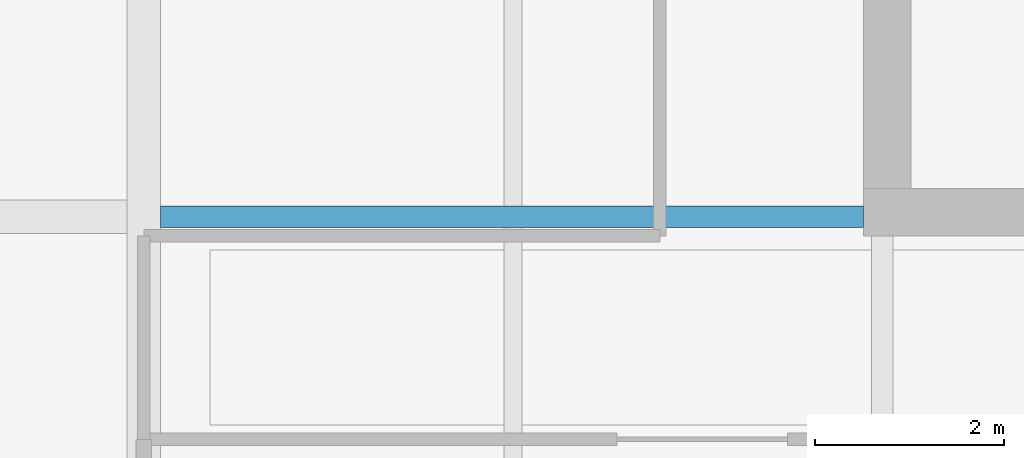
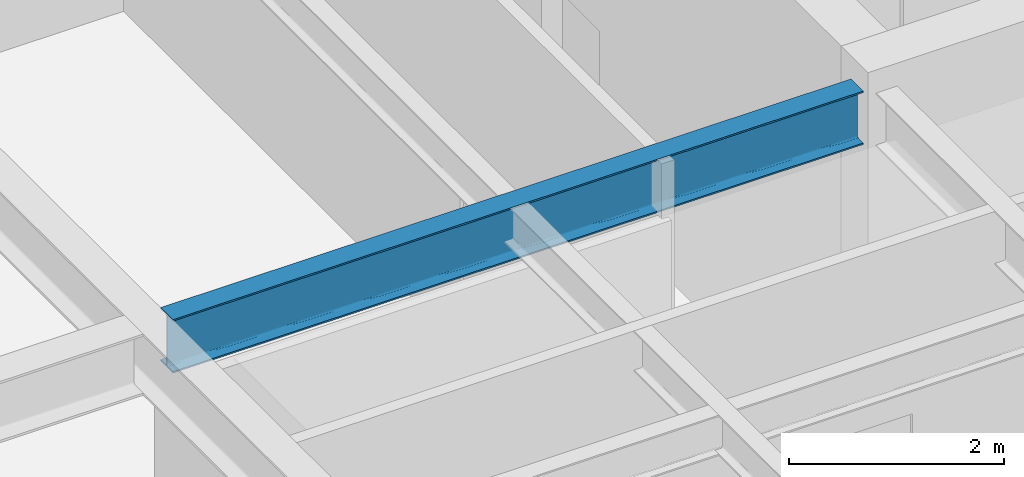
# One storey, part 8 of 32: 1 beam.
"""IFC4 building model written with IfcOpenShell, lengths in metres."""

from ifc_helpers import new_model, si_unit, direction, frame, origin, origin_2d, place, context, subcontext, project, spatial, i_section, extrude, material, material_profile, profile_set, type_object, element, save


model = new_model("IFC4")

# Units and contexts
model_context = context("Model", 3, precision=1e-05, world=origin(), true_north=direction((0.0, 1.0)))
body_context = subcontext(model_context, "Body", "Model", "MODEL_VIEW")
ifc_project = project(units=[si_unit("LENGTHUNIT", "METRE"), si_unit("AREAUNIT", "SQUARE_METRE"), si_unit("VOLUMEUNIT", "CUBIC_METRE"), si_unit("PLANEANGLEUNIT", "RADIAN"), si_unit("MASSUNIT", "GRAM", prefix="KILO")], contexts=[model_context])

# Site, building, storey
site_placement = place(None, origin())
site = spatial("IfcSite", under=ifc_project, at=site_placement, CompositionType="ELEMENT")
building_placement = place(site_placement, origin())
building = spatial("IfcBuilding", under=site, at=building_placement, Name="Drelvath Grand Hotel", CompositionType="ELEMENT")
storey_placement = place(building_placement, frame((0.0, 0.0, 145.800048828125)))
storey = spatial("IfcBuildingStorey", under=building, at=storey_placement, Name="L37", CompositionType="ELEMENT", Elevation=145.800048828125)

# Beam
ifc_material = material(Name="Steel ASTM A992 Gr 50", Category="steel")
ifc_material_profile = material_profile(ifc_material, i_section(OverallWidth=0.228271484375, OverallDepth=0.607666015625, WebThickness=0.01123046875, FlangeThickness=0.017333984375, FilletRadius=0.02001953125, at=origin_2d()), Name="W24X76")
ifc_profile_set = profile_set([ifc_material_profile], Name="Steel ASTM A992 Gr 50")
beam_type = type_object("IfcBeamType", Name="Primary Floor Girder W24X76", PredefinedType="BEAM", material=ifc_profile_set)
beam_placement = place(storey_placement, frame((-16.022705078125, 18.60009765625, 4.0361328125), z_axis=(1.0, 0.0, 0.0), x_axis=(0.0, 1.0, 0.0)))
element("IfcBeam", 1, at=beam_placement, inside=storey, type_object=beam_type, Name="L37 West Core Tie D", PredefinedType="BEAM", context=body_context, shape_type="SweptSolid", body=[
    extrude(i_section(OverallWidth=0.228271484375, OverallDepth=0.607666015625, WebThickness=0.01123046875, FlangeThickness=0.017333984375, FilletRadius=0.02001953125, at=origin_2d()), origin(), (0.0, 0.0, 1.0), 7.422607421875),
])

save(model, "model.ifc")
